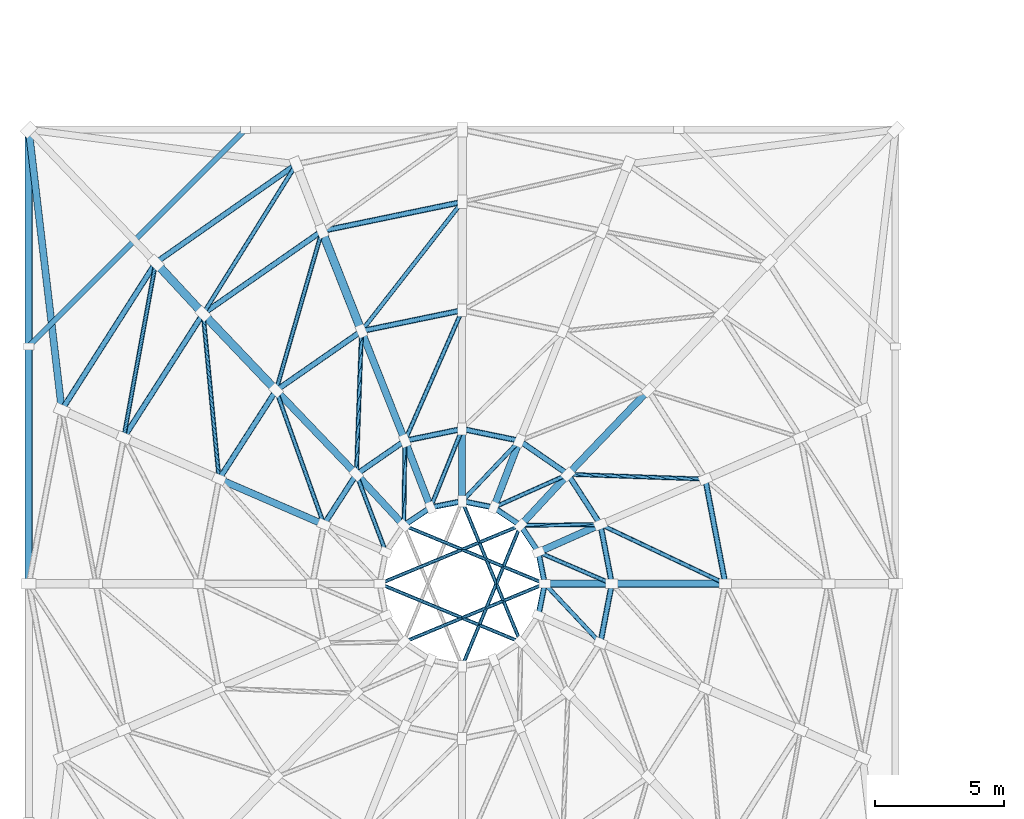
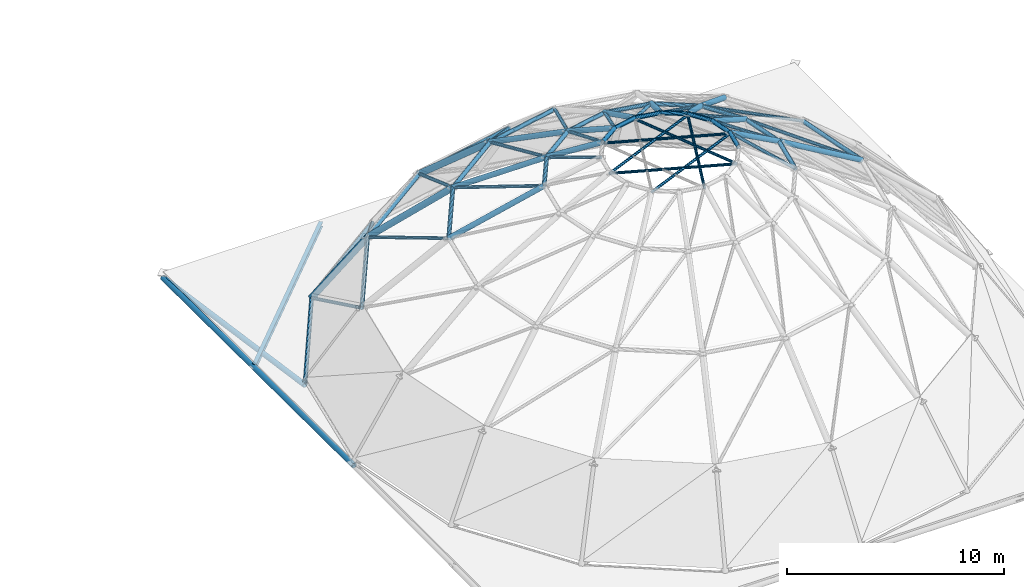
# One storey, part 4 of 49: 51 members, 15 beams.
"""IFC4 building model written with IfcOpenShell, lengths in metres."""

from ifc_helpers import new_model, si_unit, direction, frame, origin, origin_2d, place, context, subcontext, project, spatial, hollow_circle, i_section, extrude, material, material_profile, profile_set, type_object, element, save


model = new_model("IFC4")

# Units and contexts
model_context = context("Model", 3, precision=1e-05, world=origin(), true_north=direction((0.0, 1.0)))
body_context = subcontext(model_context, "Body", "Model", "MODEL_VIEW")
ifc_project = project(units=[si_unit("LENGTHUNIT", "METRE"), si_unit("AREAUNIT", "SQUARE_METRE"), si_unit("VOLUMEUNIT", "CUBIC_METRE"), si_unit("PLANEANGLEUNIT", "RADIAN"), si_unit("MASSUNIT", "GRAM", prefix="KILO")], contexts=[model_context])

# Site, building, storey
site_placement = place(None, origin())
site = spatial("IfcSite", under=ifc_project, at=site_placement, CompositionType="ELEMENT")
building_placement = place(site_placement, origin())
building = spatial("IfcBuilding", under=site, at=building_placement, Name="Kemercrest Conservatory and Botanical Centre", CompositionType="ELEMENT")
storey_placement = place(building_placement, frame((0.0, 0.0, 13.199951171875)))
storey = spatial("IfcBuildingStorey", under=building, at=storey_placement, Name="L03", CompositionType="ELEMENT", Elevation=13.199951171875)

# Member
ifc_material = material(Name="Steel CSA G40.21 350W", Category="steel")
ifc_material_profile_1 = material_profile(ifc_material, i_section(OverallWidth=0.202880859375, OverallDepth=0.251953125, WebThickness=0.008056640625, FlangeThickness=0.013427734375, FilletRadius=0.010986328125, at=origin_2d()), Name="W250X58")
ifc_profile_set_1 = profile_set([ifc_material_profile_1], Name="Steel CSA G40.21 350W")
member_type_1 = type_object("IfcMemberType", Name="BR-LAT250", PredefinedType="BRACE", material=ifc_profile_set_1)
member_1_placement = place(storey_placement, frame((16.39990234375, 52.0, -0.14990234375), z_axis=(-0.707106781187, -0.707106781187, 0.0), x_axis=(0.707106781187, -0.707106781187, 0.0)))
element("IfcMember", 1, at=member_1_placement, inside=storey, type_object=member_type_1, Name="Roof diaphragm corner wind brace BR-LAT250", PredefinedType="BRACE", context=body_context, shape_type="SweptSolid", body=[
    extrude(i_section(OverallWidth=0.202880859375, OverallDepth=0.251953125, WebThickness=0.008056640625, FlangeThickness=0.013427734375, FilletRadius=0.010986328125, at=origin_2d()), origin(), (0.0, 0.0, 1.0), 11.879150390625),
])

# Beams
ifc_material_profile_2 = material_profile(ifc_material, hollow_circle(Radius=0.136474609375, WallThickness=0.0126953125, at=origin_2d()), Name="CHS 273.1x12.7")
ifc_profile_set_2 = profile_set([ifc_material_profile_2], Name="Steel CSA G40.21 350W")
beam_type_1 = type_object("IfcBeamType", Name="GR-RIB273", PredefinedType="BEAM", material=ifc_profile_set_2)
beam_1_placement = place(storey_placement, frame((35.0, 34.39990234375, 7.60009765625), z_axis=(-0.860934136409, 0.0, 0.508716436501), x_axis=(0.0, -1.0, 0.0)))
element("IfcBeam", 2, at=beam_1_placement, inside=storey, type_object=beam_type_1, Name="Conservatory dome arch rib R2-00", PredefinedType="BEAM", context=body_context, shape_type="SweptSolid", body=[
    extrude(hollow_circle(Radius=0.136474609375, WallThickness=0.0126953125, at=origin_2d()), origin(), (0.0, 0.0, 1.0), 5.110595703125),
])
beam_2_placement = place(storey_placement, frame((32.012451171875, 41.895263671875, 7.60009765625), z_axis=(-0.598558557553, -0.625752955295, 0.500160866242), x_axis=(0.722634789358, -0.691230034945, 0.0)))
element("IfcBeam", 3, at=beam_2_placement, inside=storey, type_object=beam_type_1, Name="Conservatory dome arch rib R2-02", PredefinedType="BEAM", context=body_context, shape_type="SweptSolid", body=[
    extrude(hollow_circle(Radius=0.136474609375, WallThickness=0.0126953125, at=origin_2d()), origin(), (0.0, 0.0, 1.0), 5.197998046875),
])
beam_3_placement = place(storey_placement, frame((20.896484375, 44.193115234375, 7.60009765625), z_axis=(0.32019434461, -0.808122800729, 0.494381553683), x_axis=(0.929683571061, 0.368359142277, 0.0)))
element("IfcBeam", 4, at=beam_3_placement, inside=storey, type_object=beam_type_1, Name="Conservatory dome arch rib R2-05", PredefinedType="BEAM", context=body_context, shape_type="SweptSolid", body=[
    extrude(hollow_circle(Radius=0.136474609375, WallThickness=0.0126953125, at=origin_2d()), origin(), (0.0, 0.0, 1.0), 5.2587890625),
])
beam_4_placement = place(storey_placement, frame((17.58740234375, 41.895263671875, 7.60009765625), z_axis=(0.598558557553, -0.625752955295, 0.500160866242), x_axis=(0.722634789358, 0.691230034945, 0.0)))
element("IfcBeam", 5, at=beam_4_placement, inside=storey, type_object=beam_type_1, Name="Conservatory dome arch rib R2-06", PredefinedType="BEAM", context=body_context, shape_type="SweptSolid", body=[
    extrude(hollow_circle(Radius=0.136474609375, WallThickness=0.0126953125, at=origin_2d()), origin(), (0.0, 0.0, 1.0), 5.197998046875),
])
beam_5_placement = place(storey_placement, frame((15.37646484375, 38.456298828125, 7.60009765625), z_axis=(0.791415780696, -0.342709175905, 0.50617337229), x_axis=(0.397375418216, 0.917656132218, 0.0)))
element("IfcBeam", 6, at=beam_5_placement, inside=storey, type_object=beam_type_1, Name="Conservatory dome arch rib R2-07", PredefinedType="BEAM", context=body_context, shape_type="SweptSolid", body=[
    extrude(hollow_circle(Radius=0.136474609375, WallThickness=0.0126953125, at=origin_2d()), origin(), (0.0, 0.0, 1.0), 5.13623046875),
])
beam_6_placement = place(storey_placement, frame((30.60009765625, 34.39990234375, 10.199951171875), z_axis=(-0.880457826534, 0.0, 0.474124472786), x_axis=(0.0, -1.0, 0.0)))
element("IfcBeam", 7, at=beam_6_placement, inside=storey, type_object=beam_type_1, Name="Conservatory dome arch rib R3-00", PredefinedType="BEAM", context=body_context, shape_type="SweptSolid", body=[
    extrude(hollow_circle(Radius=0.136474609375, WallThickness=0.0126953125, at=origin_2d()), origin(), (0.0, 0.0, 1.0), 2.953125),
])
beam_7_placement = place(storey_placement, frame((30.158447265625, 36.696044921875, 10.199951171875), z_axis=(-0.806151944247, -0.35960980621, 0.469893424155), x_axis=(0.407386850353, -0.913255689366, 0.0)))
element("IfcBeam", 8, at=beam_7_placement, inside=storey, type_object=beam_type_1, Name="Conservatory dome arch rib R3-01", PredefinedType="BEAM", context=body_context, shape_type="SweptSolid", body=[
    extrude(hollow_circle(Radius=0.136474609375, WallThickness=0.0126953125, at=origin_2d()), origin(), (0.0, 0.0, 1.0), 2.979736328125),
])
beam_8_placement = place(storey_placement, frame((28.901123046875, 38.642578125, 10.199951171875), z_axis=(-0.60411672919, -0.650648960655, 0.460107495605), x_axis=(0.732825674087, -0.680416439689, 0.0)))
element("IfcBeam", 9, at=beam_8_placement, inside=storey, type_object=beam_type_1, Name="Conservatory dome arch rib R3-02", PredefinedType="BEAM", context=body_context, shape_type="SweptSolid", body=[
    extrude(hollow_circle(Radius=0.136474609375, WallThickness=0.0126953125, at=origin_2d()), origin(), (0.0, 0.0, 1.0), 3.04296875),
])
beam_9_placement = place(storey_placement, frame((27.01953125, 39.943359375, 10.199951171875), z_axis=(-0.320388699377, -0.833089241374, 0.450902868939), x_axis=(0.933356956997, -0.358949565852, 0.0)))
element("IfcBeam", 10, at=beam_9_placement, inside=storey, type_object=beam_type_1, Name="Conservatory dome arch rib R3-03", PredefinedType="BEAM", context=body_context, shape_type="SweptSolid", body=[
    extrude(hollow_circle(Radius=0.136474609375, WallThickness=0.0126953125, at=origin_2d()), origin(), (0.0, 0.0, 1.0), 3.105224609375),
])
beam_10_placement = place(storey_placement, frame((24.800048828125, 40.39990234375, 10.199951171875), z_axis=(0.0, -0.894395992591, 0.447275986877), x_axis=(1.0, 0.0, 0.0)))
element("IfcBeam", 11, at=beam_10_placement, inside=storey, type_object=beam_type_1, Name="Conservatory dome arch rib R3-04", PredefinedType="BEAM", context=body_context, shape_type="SweptSolid", body=[
    extrude(hollow_circle(Radius=0.136474609375, WallThickness=0.0126953125, at=origin_2d()), origin(), (0.0, 0.0, 1.0), 3.13037109375),
])
beam_11_placement = place(storey_placement, frame((22.580322265625, 39.943359375, 10.199951171875), z_axis=(0.32045924914, -0.833068254142, 0.450891509768), x_axis=(0.933327443566, 0.359026298601, 0.0)))
element("IfcBeam", 12, at=beam_11_placement, inside=storey, type_object=beam_type_1, Name="Conservatory dome arch rib R3-05", PredefinedType="BEAM", context=body_context, shape_type="SweptSolid", body=[
    extrude(hollow_circle(Radius=0.136474609375, WallThickness=0.0126953125, at=origin_2d()), origin(), (0.0, 0.0, 1.0), 3.105224609375),
])
beam_12_placement = place(storey_placement, frame((20.69873046875, 38.642578125, 10.199951171875), z_axis=(0.604167673705, -0.650617425806, 0.460085195684), x_axis=(0.732780618974, 0.68046496196, 0.0)))
element("IfcBeam", 13, at=beam_12_placement, inside=storey, type_object=beam_type_1, Name="Conservatory dome arch rib R3-06", PredefinedType="BEAM", context=body_context, shape_type="SweptSolid", body=[
    extrude(hollow_circle(Radius=0.136474609375, WallThickness=0.0126953125, at=origin_2d()), origin(), (0.0, 0.0, 1.0), 3.043212890625),
])
ifc_material_profile_3 = material_profile(ifc_material, hollow_circle(Radius=0.161865234375, WallThickness=0.0126953125, at=origin_2d()), Name="CHS 323.9x12.7")
ifc_profile_set_3 = profile_set([ifc_material_profile_3], Name="Steel CSA G40.21 350W")
beam_type_2 = type_object("IfcBeamType", Name="GR-RIB324", PredefinedType="BEAM", material=ifc_profile_set_3)
beam_13_placement = place(storey_placement, frame((12.920654296875, 46.84521484375, 0.02001953125), z_axis=(0.382165461499, -0.411601844987, 0.827365385571), x_axis=(0.732825674087, 0.680416439689, 0.0)))
element("IfcBeam", 14, at=beam_13_placement, inside=storey, type_object=beam_type_2, Name="Conservatory dome arch rib R0-06", PredefinedType="BEAM", context=body_context, shape_type="SweptSolid", body=[
    extrude(hollow_circle(Radius=0.161865234375, WallThickness=0.0126953125, at=origin_2d()), origin(), (0.0, 0.0, 1.0), 4.810546875),
])
beam_14_placement = place(storey_placement, frame((19.365966796875, 48.073486328125, 4.0), z_axis=(0.277769206381, -0.704237321139, 0.653371305997), x_axis=(0.93025407959, 0.366915995026, 0.0)))
element("IfcBeam", 15, at=beam_14_placement, inside=storey, type_object=beam_type_2, Name="Conservatory dome arch rib R1-05", PredefinedType="BEAM", context=body_context, shape_type="SweptSolid", body=[
    extrude(hollow_circle(Radius=0.161865234375, WallThickness=0.0126953125, at=origin_2d()), origin(), (0.0, 0.0, 1.0), 5.510009765625),
])
beam_15_placement = place(storey_placement, frame((14.759033203125, 44.865234375, 4.0), z_axis=(0.518281509086, -0.544229137508, 0.659696083986), x_axis=(0.724159165442, 0.689632875598, 0.0)))
element("IfcBeam", 16, at=beam_15_placement, inside=storey, type_object=beam_type_2, Name="Conservatory dome arch rib R1-06", PredefinedType="BEAM", context=body_context, shape_type="SweptSolid", body=[
    extrude(hollow_circle(Radius=0.161865234375, WallThickness=0.0126953125, at=origin_2d()), origin(), (0.0, 0.0, 1.0), 5.457275390625),
])

# Members
ifc_material_profile_4 = material_profile(ifc_material, hollow_circle(Radius=0.084228515625, WallThickness=0.009521484375, at=origin_2d()), Name="CHS 168.3x9.5")
ifc_profile_set_4 = profile_set([ifc_material_profile_4], Name="Steel CSA G40.21 350W")
member_type_2 = type_object("IfcMemberType", Name="MB-DIAG168", PredefinedType="BRACE", material=ifc_profile_set_4)
member_2_placement = place(storey_placement, frame((18.370849609375, 50.660400390625, 0.02001953125), z_axis=(-0.45697449261, -0.733216407401, 0.503555372349), x_axis=(0.848666489077, -0.528928341383, 0.0)))
element("IfcMember", 17, at=member_2_placement, inside=storey, type_object=member_type_2, Name="Conservatory dome diagrid brace R0-05", PredefinedType="BRACE", context=body_context, shape_type="SweptSolid", body=[
    extrude(hollow_circle(Radius=0.084228515625, WallThickness=0.009521484375, at=origin_2d()), origin(), (0.0, 0.0, 1.0), 7.90380859375),
])
member_3_placement = place(storey_placement, frame((12.920654296875, 46.84521484375, 0.02001953125), z_axis=(-0.155741739549, -0.851917743097, 0.499980669185), x_axis=(0.983697199823, -0.179832753022, 0.0)))
element("IfcMember", 18, at=member_3_placement, inside=storey, type_object=member_type_2, Name="Conservatory dome diagrid brace R0-06", PredefinedType="BRACE", context=body_context, shape_type="SweptSolid", body=[
    extrude(hollow_circle(Radius=0.084228515625, WallThickness=0.009521484375, at=origin_2d()), origin(), (0.0, 0.0, 1.0), 7.960205078125),
])
member_4_placement = place(storey_placement, frame((24.800048828125, 49.199951171875, 4.0), z_axis=(-0.534850668068, -0.686016480126, 0.493270870682), x_axis=(0.788637305466, -0.614858683299, 0.0)))
element("IfcMember", 19, at=member_4_placement, inside=storey, type_object=member_type_2, Name="Conservatory dome diagrid brace R1-04", PredefinedType="BRACE", context=body_context, shape_type="SweptSolid", body=[
    extrude(hollow_circle(Radius=0.084228515625, WallThickness=0.009521484375, at=origin_2d()), origin(), (0.0, 0.0, 1.0), 7.29833984375),
])
member_5_placement = place(storey_placement, frame((19.365966796875, 48.073486328125, 4.0), z_axis=(-0.241374823778, -0.838466889571, 0.488581077753), x_axis=(0.960973195276, -0.276641497178, 0.0)))
element("IfcMember", 20, at=member_5_placement, inside=storey, type_object=member_type_2, Name="Conservatory dome diagrid brace R1-05", PredefinedType="BRACE", context=body_context, shape_type="SweptSolid", body=[
    extrude(hollow_circle(Radius=0.084228515625, WallThickness=0.009521484375, at=origin_2d()), origin(), (0.0, 0.0, 1.0), 7.368408203125),
])
member_6_placement = place(storey_placement, frame((14.759033203125, 44.865234375, 4.0), z_axis=(0.083699730273, -0.868802538313, 0.48803330273), x_axis=(0.995391435709, 0.095895201741, 0.0)))
element("IfcMember", 21, at=member_6_placement, inside=storey, type_object=member_type_2, Name="Conservatory dome diagrid brace R1-06", PredefinedType="BRACE", context=body_context, shape_type="SweptSolid", body=[
    extrude(hollow_circle(Radius=0.084228515625, WallThickness=0.009521484375, at=origin_2d()), origin(), (0.0, 0.0, 1.0), 7.376708984375),
])
member_7_placement = place(storey_placement, frame((35.0, 34.39990234375, 7.60009765625), z_axis=(-0.812907180776, 0.385527307508, 0.436521031117), x_axis=(-0.428509342849, -0.903537350136, 0.0)))
element("IfcMember", 22, at=member_7_placement, inside=storey, type_object=member_type_2, Name="Conservatory dome diagrid brace R2-00", PredefinedType="BRACE", context=body_context, shape_type="SweptSolid", body=[
    extrude(hollow_circle(Radius=0.084228515625, WallThickness=0.009521484375, at=origin_2d()), origin(), (0.0, 0.0, 1.0), 5.955810546875),
])
member_8_placement = place(storey_placement, frame((34.2236328125, 38.456298828125, 7.60009765625), z_axis=(-0.898091043651, 0.031431744705, 0.438684992608), x_axis=(-0.03497697969, -0.999388118246, 0.0)))
element("IfcMember", 23, at=member_8_placement, inside=storey, type_object=member_type_2, Name="Conservatory dome diagrid brace R2-01", PredefinedType="BRACE", context=body_context, shape_type="SweptSolid", body=[
    extrude(hollow_circle(Radius=0.084228515625, WallThickness=0.009521484375, at=origin_2d()), origin(), (0.0, 0.0, 1.0), 5.926513671875),
])
member_9_placement = place(storey_placement, frame((24.800048828125, 45.0, 7.60009765625), z_axis=(-0.363664694693, -0.828445133798, 0.425942073668), x_axis=(0.915661492523, -0.401950284377, 0.0)))
element("IfcMember", 24, at=member_9_placement, inside=storey, type_object=member_type_2, Name="Conservatory dome diagrid brace R2-04", PredefinedType="BRACE", context=body_context, shape_type="SweptSolid", body=[
    extrude(hollow_circle(Radius=0.084228515625, WallThickness=0.009521484375, at=origin_2d()), origin(), (0.0, 0.0, 1.0), 6.103759765625),
])
member_10_placement = place(storey_placement, frame((20.896484375, 44.193115234375, 7.60009765625), z_axis=(-0.032247187264, -0.90511086721, 0.423950984162), x_axis=(0.999365930428, -0.03560529596, 0.0)))
element("IfcMember", 25, at=member_10_placement, inside=storey, type_object=member_type_2, Name="Conservatory dome diagrid brace R2-05", PredefinedType="BRACE", context=body_context, shape_type="SweptSolid", body=[
    extrude(hollow_circle(Radius=0.084228515625, WallThickness=0.009521484375, at=origin_2d()), origin(), (0.0, 0.0, 1.0), 6.13232421875),
])
member_11_placement = place(storey_placement, frame((17.58740234375, 41.895263671875, 7.60009765625), z_axis=(0.303859766733, -0.852119777765, 0.42609990202), x_axis=(0.941905907987, 0.335876853177, 0.0)))
element("IfcMember", 26, at=member_11_placement, inside=storey, type_object=member_type_2, Name="Conservatory dome diagrid brace R2-06", PredefinedType="BRACE", context=body_context, shape_type="SweptSolid", body=[
    extrude(hollow_circle(Radius=0.084228515625, WallThickness=0.009521484375, at=origin_2d()), origin(), (0.0, 0.0, 1.0), 6.1015625),
])
member_12_placement = place(storey_placement, frame((30.60009765625, 34.39990234375, 10.199951171875), z_axis=(-0.836868025114, 0.360382041035, 0.41203967411), x_axis=(-0.395517478149, -0.918458450056, 0.0)))
element("IfcMember", 27, at=member_12_placement, inside=storey, type_object=member_type_2, Name="Conservatory dome diagrid brace R3-00", PredefinedType="BRACE", context=body_context, shape_type="SweptSolid", body=[
    extrude(hollow_circle(Radius=0.084228515625, WallThickness=0.009521484375, at=origin_2d()), origin(), (0.0, 0.0, 1.0), 3.398193359375),
])
member_13_placement = place(storey_placement, frame((30.158447265625, 36.696044921875, 10.199951171875), z_axis=(-0.911095897621, -0.009843859462, 0.412076890604), x_axis=(0.01080378583, -0.999941637403, 0.0)))
element("IfcMember", 28, at=member_13_placement, inside=storey, type_object=member_type_2, Name="Conservatory dome diagrid brace R3-01", PredefinedType="BRACE", context=body_context, shape_type="SweptSolid", body=[
    extrude(hollow_circle(Radius=0.084228515625, WallThickness=0.009521484375, at=origin_2d()), origin(), (0.0, 0.0, 1.0), 3.397705078125),
])
member_14_placement = place(storey_placement, frame((28.901123046875, 38.642578125, 10.199951171875), z_axis=(-0.834245270589, -0.373010022531, 0.406076780413), x_axis=(0.408179162911, -0.912901840816, 0.0)))
element("IfcMember", 29, at=member_14_placement, inside=storey, type_object=member_type_2, Name="Conservatory dome diagrid brace R3-02", PredefinedType="BRACE", context=body_context, shape_type="SweptSolid", body=[
    extrude(hollow_circle(Radius=0.084228515625, WallThickness=0.009521484375, at=origin_2d()), origin(), (0.0, 0.0, 1.0), 3.447998046875),
])
member_15_placement = place(storey_placement, frame((27.01953125, 39.943359375, 10.199951171875), z_axis=(-0.630866126649, -0.666049178702, 0.397977916218), x_axis=(0.726022249737, -0.687671209872, 0.0)))
element("IfcMember", 30, at=member_15_placement, inside=storey, type_object=member_type_2, Name="Conservatory dome diagrid brace R3-03", PredefinedType="BRACE", context=body_context, shape_type="SweptSolid", body=[
    extrude(hollow_circle(Radius=0.084228515625, WallThickness=0.009521484375, at=origin_2d()), origin(), (0.0, 0.0, 1.0), 3.51806640625),
])
member_16_placement = place(storey_placement, frame((24.800048828125, 40.39990234375, 10.199951171875), z_axis=(-0.343326861063, -0.853252123207, 0.392539782335), x_axis=(0.927715155414, -0.373288883327, 0.0)))
element("IfcMember", 31, at=member_16_placement, inside=storey, type_object=member_type_2, Name="Conservatory dome diagrid brace R3-04", PredefinedType="BRACE", context=body_context, shape_type="SweptSolid", body=[
    extrude(hollow_circle(Radius=0.084228515625, WallThickness=0.009521484375, at=origin_2d()), origin(), (0.0, 0.0, 1.0), 3.56689453125),
])
member_17_placement = place(storey_placement, frame((22.580322265625, 39.943359375, 10.199951171875), z_axis=(-0.012045162552, -0.919675536247, 0.392494359308), x_axis=(0.999914242878, -0.013096063904, 0.0)))
element("IfcMember", 32, at=member_17_placement, inside=storey, type_object=member_type_2, Name="Conservatory dome diagrid brace R3-05", PredefinedType="BRACE", context=body_context, shape_type="SweptSolid", body=[
    extrude(hollow_circle(Radius=0.084228515625, WallThickness=0.009521484375, at=origin_2d()), origin(), (0.0, 0.0, 1.0), 3.5673828125),
])
member_18_placement = place(storey_placement, frame((20.69873046875, 38.642578125, 10.199951171875), z_axis=(0.32536151146, -0.857777565508, 0.397941622568), x_axis=(0.934998391163, 0.354651954066, 0.0)))
element("IfcMember", 33, at=member_18_placement, inside=storey, type_object=member_type_2, Name="Conservatory dome diagrid brace R3-06", PredefinedType="BRACE", context=body_context, shape_type="SweptSolid", body=[
    extrude(hollow_circle(Radius=0.084228515625, WallThickness=0.009521484375, at=origin_2d()), origin(), (0.0, 0.0, 1.0), 3.5185546875),
])
member_19_placement = place(storey_placement, frame((30.158447265625, 32.10400390625, 10.199951171875), z_axis=(-0.625953708138, 0.665814802774, 0.406045075916), x_axis=(-0.728579724105, -0.684961010294, 0.0)))
element("IfcMember", 34, at=member_19_placement, inside=storey, type_object=member_type_2, Name="Conservatory dome diagrid brace R3-15", PredefinedType="BRACE", context=body_context, shape_type="SweptSolid", body=[
    extrude(hollow_circle(Radius=0.084228515625, WallThickness=0.009521484375, at=origin_2d()), origin(), (0.0, 0.0, 1.0), 3.4482421875),
])
ifc_material_profile_5 = material_profile(ifc_material, hollow_circle(Radius=0.06982421875, WallThickness=0.008056640625, at=origin_2d()), Name="CHS 139.7x8.0")
ifc_profile_set_5 = profile_set([ifc_material_profile_5], Name="Steel CSA G40.21 350W")
member_type_3 = type_object("IfcMemberType", Name="MB-LAN140", PredefinedType="BRACE", material=ifc_profile_set_5)
for number, where, z_axis, x_axis, name in (
    (35, (28.0, 34.39990234375, 11.530029296875), (-0.923879947956, 0.382682429392, 0.0), (-0.382682429392, -0.923879947956, 0.0), "Conservatory oculus lantern star chord 00"),
    (36, (27.062744140625, 36.66259765625, 11.530029296875), (-0.923879947956, -0.382682429392, 0.0), (0.382682429392, -0.923879947956, 0.0), "Conservatory oculus lantern star chord 02"),
    (37, (21.60009765625, 34.39990234375, 11.530029296875), (0.923879947956, -0.382682429392, 0.0), (0.382682429392, 0.923879947956, 0.0), "Conservatory oculus lantern star chord 08"),
    (38, (22.537353515625, 32.13720703125, 11.530029296875), (0.923879947956, 0.382682429392, 0.0), (-0.382682429392, 0.923879947956, 0.0), "Conservatory oculus lantern star chord 10"),
    (39, (24.800048828125, 31.199951171875, 11.530029296875), (0.382682429392, 0.923879947956, 0.0), (-0.923879947956, 0.382682429392, 0.0), "Conservatory oculus lantern star chord 12"),
    (40, (27.062744140625, 32.13720703125, 11.530029296875), (-0.382667831458, 0.923885994464, 0.0), (-0.923885994464, -0.382667831458, 0.0), "Conservatory oculus lantern star chord 14"),
):
    element("IfcMember", number, at=place(storey_placement, frame(where, z_axis=z_axis, x_axis=x_axis)), inside=storey, type_object=member_type_3, Name=name, PredefinedType="BRACE", context=body_context, shape_type="SweptSolid", body=[
        extrude(hollow_circle(Radius=0.06982421875, WallThickness=0.008056640625, at=origin_2d()), origin(), (0.0, 0.0, 1.0), 5.912841796875),
    ])
ifc_material_profile_6 = material_profile(ifc_material, hollow_circle(Radius=0.136474609375, WallThickness=0.0126953125, at=origin_2d()), Name="CHS 273.1x12.7")
ifc_profile_set_6 = profile_set([ifc_material_profile_6], Name="Steel CSA G40.21 350W")
member_type_4 = type_object("IfcMemberType", Name="MB-PEND273", PredefinedType="BRACE", material=ifc_profile_set_6)
member_20_placement = place(storey_placement, frame((8.0, 52.0, -0.25), z_axis=(0.116890737429, -0.993102634036, 0.009149523166), x_axis=(0.993144204831, 0.116895630419, 0.0)))
element("IfcMember", 41, at=member_20_placement, inside=storey, type_object=member_type_4, Name="Conservatory pendentive fan brace NW-07", PredefinedType="BRACE", context=body_context, shape_type="SweptSolid", body=[
    extrude(hollow_circle(Radius=0.136474609375, WallThickness=0.0126953125, at=origin_2d()), origin(), (0.0, 0.0, 1.0), 10.940185546875),
])
member_21_placement = place(storey_placement, frame((8.0, 52.0, -0.25), z_axis=(0.0, -0.999983827501, 0.005687243297), x_axis=(1.0, 0.0, 0.0)))
element("IfcMember", 42, at=member_21_placement, inside=storey, type_object=member_type_4, Name="Conservatory pendentive fan brace NW-08", PredefinedType="BRACE", context=body_context, shape_type="SweptSolid", body=[
    extrude(hollow_circle(Radius=0.136474609375, WallThickness=0.0126953125, at=origin_2d()), origin(), (0.0, 0.0, 1.0), 17.600341796875),
])
ifc_material_profile_7 = material_profile(ifc_material, hollow_circle(Radius=0.109619140625, WallThickness=0.010009765625, at=origin_2d()), Name="CHS 219.1x10.0")
ifc_profile_set_7 = profile_set([ifc_material_profile_7], Name="Steel CSA G40.21 350W")
member_type_5 = type_object("IfcMemberType", Name="MB-RING219", PredefinedType="CHORD", material=ifc_profile_set_7)
member_22_placement = place(storey_placement, frame((18.370849609375, 50.660400390625, 0.02001953125), z_axis=(-0.819228472444, -0.573467270153, 0.0), x_axis=(0.573467270153, -0.819228472444, 0.0)))
element("IfcMember", 43, at=member_22_placement, inside=storey, type_object=member_type_5, Name="Conservatory dome latitude ring R0-05", PredefinedType="CHORD", context=body_context, shape_type="SweptSolid", body=[
    extrude(hollow_circle(Radius=0.109619140625, WallThickness=0.010009765625, at=origin_2d()), origin(), (0.0, 0.0, 1.0), 6.65283203125),
])
member_23_placement = place(storey_placement, frame((12.920654296875, 46.84521484375, 0.02001953125), z_axis=(-0.537740594043, -0.843110344806, 0.0), x_axis=(0.843110344806, -0.537740594043, 0.0)))
element("IfcMember", 44, at=member_23_placement, inside=storey, type_object=member_type_5, Name="Conservatory dome latitude ring R0-06", PredefinedType="CHORD", context=body_context, shape_type="SweptSolid", body=[
    extrude(hollow_circle(Radius=0.109619140625, WallThickness=0.010009765625, at=origin_2d()), origin(), (0.0, 0.0, 1.0), 6.7724609375),
])
member_24_placement = place(storey_placement, frame((24.800048828125, 49.199951171875, 4.0), z_axis=(-0.979182696245, -0.202980903966, 0.0), x_axis=(0.202980903966, -0.979182696245, 0.0)))
element("IfcMember", 45, at=member_24_placement, inside=storey, type_object=member_type_5, Name="Conservatory dome latitude ring R1-04", PredefinedType="CHORD", context=body_context, shape_type="SweptSolid", body=[
    extrude(hollow_circle(Radius=0.109619140625, WallThickness=0.010009765625, at=origin_2d()), origin(), (0.0, 0.0, 1.0), 5.549560546875),
])
member_25_placement = place(storey_placement, frame((19.365966796875, 48.073486328125, 4.0), z_axis=(-0.82061879792, -0.571475973686, 0.0), x_axis=(0.571475973686, -0.82061879792, 0.0)))
element("IfcMember", 46, at=member_25_placement, inside=storey, type_object=member_type_5, Name="Conservatory dome latitude ring R1-05", PredefinedType="CHORD", context=body_context, shape_type="SweptSolid", body=[
    extrude(hollow_circle(Radius=0.109619140625, WallThickness=0.010009765625, at=origin_2d()), origin(), (0.0, 0.0, 1.0), 5.614013671875),
])
member_26_placement = place(storey_placement, frame((14.759033203125, 44.865234375, 4.0), z_axis=(-0.539694897582, -0.841860687717, 0.0), x_axis=(0.841860687717, -0.539694897582, 0.0)))
element("IfcMember", 47, at=member_26_placement, inside=storey, type_object=member_type_5, Name="Conservatory dome latitude ring R1-06", PredefinedType="CHORD", context=body_context, shape_type="SweptSolid", body=[
    extrude(hollow_circle(Radius=0.109619140625, WallThickness=0.010009765625, at=origin_2d()), origin(), (0.0, 0.0, 1.0), 5.703369140625),
])
member_27_placement = place(storey_placement, frame((35.0, 34.39990234375, 7.60009765625), z_axis=(-0.187981276325, 0.982172611994, 0.0), x_axis=(-0.982172611994, -0.187981276325, 0.0)))
element("IfcMember", 48, at=member_27_placement, inside=storey, type_object=member_type_5, Name="Conservatory dome latitude ring R2-00", PredefinedType="CHORD", context=body_context, shape_type="SweptSolid", body=[
    extrude(hollow_circle(Radius=0.109619140625, WallThickness=0.010009765625, at=origin_2d()), origin(), (0.0, 0.0, 1.0), 4.130126953125),
])
member_28_placement = place(storey_placement, frame((24.800048828125, 45.0, 7.60009765625), z_axis=(-0.979297696585, -0.202425347878, 0.0), x_axis=(0.202425347878, -0.979297696585, 0.0)))
element("IfcMember", 49, at=member_28_placement, inside=storey, type_object=member_type_5, Name="Conservatory dome latitude ring R2-04", PredefinedType="CHORD", context=body_context, shape_type="SweptSolid", body=[
    extrude(hollow_circle(Radius=0.109619140625, WallThickness=0.010009765625, at=origin_2d()), origin(), (0.0, 0.0, 1.0), 3.986083984375),
])
member_29_placement = place(storey_placement, frame((20.896484375, 44.193115234375, 7.60009765625), z_axis=(-0.821384161354, -0.570375367173, 0.0), x_axis=(0.570375367173, -0.821384161354, 0.0)))
element("IfcMember", 50, at=member_29_placement, inside=storey, type_object=member_type_5, Name="Conservatory dome latitude ring R2-05", PredefinedType="CHORD", context=body_context, shape_type="SweptSolid", body=[
    extrude(hollow_circle(Radius=0.109619140625, WallThickness=0.010009765625, at=origin_2d()), origin(), (0.0, 0.0, 1.0), 4.028564453125),
])
member_30_placement = place(storey_placement, frame((17.58740234375, 41.895263671875, 7.60009765625), z_axis=(-0.540787772319, -0.841159072536, 0.0), x_axis=(0.841159072536, -0.540787772319, 0.0)))
element("IfcMember", 51, at=member_30_placement, inside=storey, type_object=member_type_5, Name="Conservatory dome latitude ring R2-06", PredefinedType="CHORD", context=body_context, shape_type="SweptSolid", body=[
    extrude(hollow_circle(Radius=0.109619140625, WallThickness=0.010009765625, at=origin_2d()), origin(), (0.0, 0.0, 1.0), 4.08837890625),
])
member_31_placement = place(storey_placement, frame((30.60009765625, 34.39990234375, 10.199951171875), z_axis=(-0.188882247354, 0.981999743704, 0.0), x_axis=(-0.981999743704, -0.188882247354, 0.0)))
element("IfcMember", 52, at=member_31_placement, inside=storey, type_object=member_type_5, Name="Conservatory dome latitude ring R3-00", PredefinedType="CHORD", context=body_context, shape_type="SweptSolid", body=[
    extrude(hollow_circle(Radius=0.109619140625, WallThickness=0.010009765625, at=origin_2d()), origin(), (0.0, 0.0, 1.0), 2.338134765625),
])
member_32_placement = place(storey_placement, frame((30.158447265625, 36.696044921875, 10.199951171875), z_axis=(-0.542582738644, 0.840002364119, 0.0), x_axis=(-0.840002364119, -0.542582738644, 0.0)))
element("IfcMember", 53, at=member_32_placement, inside=storey, type_object=member_type_5, Name="Conservatory dome latitude ring R3-01", PredefinedType="CHORD", context=body_context, shape_type="SweptSolid", body=[
    extrude(hollow_circle(Radius=0.109619140625, WallThickness=0.010009765625, at=origin_2d()), origin(), (0.0, 0.0, 1.0), 2.3173828125),
])
member_33_placement = place(storey_placement, frame((28.901123046875, 38.642578125, 10.199951171875), z_axis=(-0.822572395755, 0.568660402826, 0.0), x_axis=(-0.568660402826, -0.822572395755, 0.0)))
element("IfcMember", 54, at=member_33_placement, inside=storey, type_object=member_type_5, Name="Conservatory dome latitude ring R3-02", PredefinedType="CHORD", context=body_context, shape_type="SweptSolid", body=[
    extrude(hollow_circle(Radius=0.109619140625, WallThickness=0.010009765625, at=origin_2d()), origin(), (0.0, 0.0, 1.0), 2.287353515625),
])
member_34_placement = place(storey_placement, frame((27.01953125, 39.943359375, 10.199951171875), z_axis=(-0.979492703866, 0.201479634389, 0.0), x_axis=(-0.201479634389, -0.979492703866, 0.0)))
element("IfcMember", 55, at=member_34_placement, inside=storey, type_object=member_type_5, Name="Conservatory dome latitude ring R3-03", PredefinedType="CHORD", context=body_context, shape_type="SweptSolid", body=[
    extrude(hollow_circle(Radius=0.109619140625, WallThickness=0.010009765625, at=origin_2d()), origin(), (0.0, 0.0, 1.0), 2.265869140625),
])
member_35_placement = place(storey_placement, frame((24.800048828125, 40.39990234375, 10.199951171875), z_axis=(-0.979497076902, -0.201458373714, 0.0), x_axis=(0.201458373714, -0.979497076902, 0.0)))
element("IfcMember", 56, at=member_35_placement, inside=storey, type_object=member_type_5, Name="Conservatory dome latitude ring R3-04", PredefinedType="CHORD", context=body_context, shape_type="SweptSolid", body=[
    extrude(hollow_circle(Radius=0.109619140625, WallThickness=0.010009765625, at=origin_2d()), origin(), (0.0, 0.0, 1.0), 2.26611328125),
])
member_36_placement = place(storey_placement, frame((22.580322265625, 39.943359375, 10.199951171875), z_axis=(-0.822572395755, -0.568660402826, 0.0), x_axis=(0.568660402826, -0.822572395755, 0.0)))
element("IfcMember", 57, at=member_36_placement, inside=storey, type_object=member_type_5, Name="Conservatory dome latitude ring R3-05", PredefinedType="CHORD", context=body_context, shape_type="SweptSolid", body=[
    extrude(hollow_circle(Radius=0.109619140625, WallThickness=0.010009765625, at=origin_2d()), origin(), (0.0, 0.0, 1.0), 2.287353515625),
])
member_37_placement = place(storey_placement, frame((20.69873046875, 38.642578125, 10.199951171875), z_axis=(-0.542582738644, -0.840002364119, 0.0), x_axis=(0.840002364119, -0.542582738644, 0.0)))
element("IfcMember", 58, at=member_37_placement, inside=storey, type_object=member_type_5, Name="Conservatory dome latitude ring R3-06", PredefinedType="CHORD", context=body_context, shape_type="SweptSolid", body=[
    extrude(hollow_circle(Radius=0.109619140625, WallThickness=0.010009765625, at=origin_2d()), origin(), (0.0, 0.0, 1.0), 2.3173828125),
])
member_38_placement = place(storey_placement, frame((30.158447265625, 32.10400390625, 10.199951171875), z_axis=(0.188901615979, 0.981996018057, 0.0), x_axis=(-0.981996018057, 0.188901615979, 0.0)))
element("IfcMember", 59, at=member_38_placement, inside=storey, type_object=member_type_5, Name="Conservatory dome latitude ring R3-15", PredefinedType="CHORD", context=body_context, shape_type="SweptSolid", body=[
    extrude(hollow_circle(Radius=0.109619140625, WallThickness=0.010009765625, at=origin_2d()), origin(), (0.0, 0.0, 1.0), 2.337890625),
])
for number, where, z_axis, x_axis, name in (
    (60, (28.0, 34.39990234375, 11.60009765625), (-0.195138390419, 0.980775717779, 0.0), (-0.980775717779, -0.195138390419, 0.0), "Conservatory dome latitude ring R4-00"),
    (61, (27.75634765625, 35.62451171875, 11.60009765625), (-0.555557312883, 0.831478245117, 0.0), (-0.831478245117, -0.555557312883, 0.0), "Conservatory dome latitude ring R4-01"),
    (62, (27.062744140625, 36.66259765625, 11.60009765625), (-0.831387912822, 0.555692485475, 0.0), (-0.555692485475, -0.831387912822, 0.0), "Conservatory dome latitude ring R4-02"),
    (63, (26.024658203125, 37.3564453125, 11.60009765625), (-0.980775717779, 0.195138390419, 0.0), (-0.195138390419, -0.980775717779, 0.0), "Conservatory dome latitude ring R4-03"),
    (64, (24.800048828125, 37.60009765625, 11.60009765625), (-0.980775717779, -0.195138390419, 0.0), (0.195138390419, -0.980775717779, 0.0), "Conservatory dome latitude ring R4-04"),
    (65, (23.575439453125, 37.3564453125, 11.60009765625), (-0.831387912822, -0.555692485475, 0.0), (0.555692485475, -0.831387912822, 0.0), "Conservatory dome latitude ring R4-05"),
    (66, (27.75634765625, 33.17529296875, 11.60009765625), (0.195138390419, 0.980775717779, 0.0), (-0.980775717779, 0.195138390419, 0.0), "Conservatory dome latitude ring R4-15"),
):
    element("IfcMember", number, at=place(storey_placement, frame(where, z_axis=z_axis, x_axis=x_axis)), inside=storey, type_object=member_type_5, Name=name, PredefinedType="CHORD", context=body_context, shape_type="SweptSolid", body=[
        extrude(hollow_circle(Radius=0.109619140625, WallThickness=0.010009765625, at=origin_2d()), origin(), (0.0, 0.0, 1.0), 1.24853515625),
    ])

save(model, "model.ifc")
